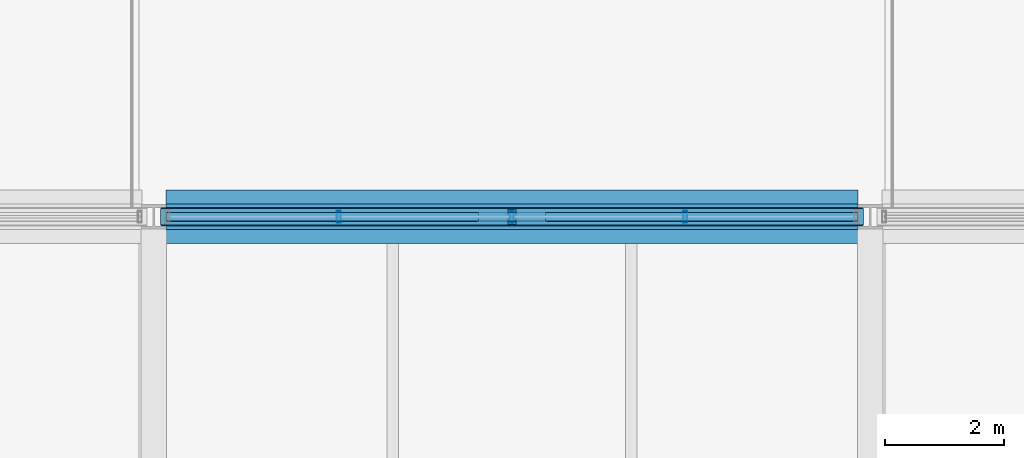
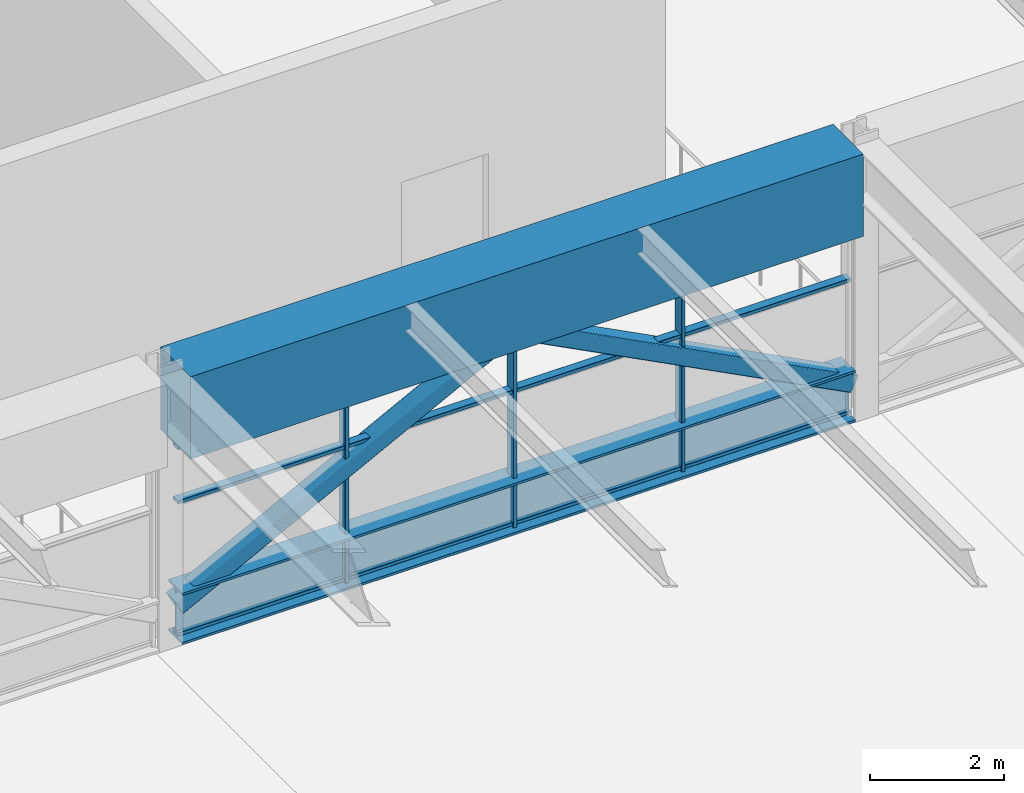
# One storey, part 18 of 42: 9 members, 1 beam, 1 element without a shape of its own.
"""IFC4 building model written with IfcOpenShell, lengths in metres."""

import ifcopenshell
import ifcopenshell.guid

model = None  # the IFC model being written
_history = None  # IfcOwnerHistory: only IFC2X3 demands one
_inside = {}  # id of a spatial element -> (the spatial element, [elements in it])
_under = {}  # id of a project, library or spatial element -> (it, [spatial elements below it])
_declared = {}  # id of a project -> (the project, [libraries it declares])
_typed = {}  # id of a type object -> (the type object, [elements of that type])
_made_of = {}  # id of a material, layer set ... -> (it, [elements and type objects made of it])


def new_model(schema):
    """Start an empty IFC model of exactly this schema.

    Asked for "IFC4X3", IfcOpenShell would pick the latest addendum, in which some entities
    have other attributes; the version numbers below select the first issue.
    IFC2X3 requires an IfcOwnerHistory on every rooted entity: one is made here for all.
    """
    global model, _history
    if schema == "IFC4X3":
        model = ifcopenshell.file(schema_version=(4, 3, 0, 0))
    else:
        model = ifcopenshell.file(schema=schema)
    _inside.clear()
    _under.clear()
    _declared.clear()
    _typed.clear()
    _made_of.clear()
    _history = None
    if model.schema == "IFC2X3":
        org = make("IfcOrganization", Name="unknown")
        user = make(
            "IfcPersonAndOrganization",
            ThePerson=make("IfcPerson", FamilyName="unknown"),
            TheOrganization=org,
        )
        app = make(
            "IfcApplication",
            ApplicationDeveloper=org,
            Version="unknown",
            ApplicationFullName="unknown",
            ApplicationIdentifier="unknown",
        )
        _history = make(
            "IfcOwnerHistory",
            OwningUser=user,
            OwningApplication=app,
            ChangeAction="ADDED",
            CreationDate=0,
        )
    return model


def make(cls, **values):
    """One entity of the class cls with the attributes given. An attribute that is None is left unset."""
    return model.create_entity(
        cls, **{name: value for name, value in values.items() if value is not None}
    )


def rooted(cls, **values):
    """An entity with a GlobalId (a new one), such as an element, a storey or a relation."""
    return make(cls, GlobalId=ifcopenshell.guid.new(), OwnerHistory=_history, **values)


def si_unit(unit_type, name, prefix=None):
    """IfcSIUnit, for example si_unit("LENGTHUNIT", "METRE", prefix="MILLI")."""
    return make("IfcSIUnit", UnitType=unit_type, Prefix=prefix, Name=name)


def assignment(units):
    """IfcUnitAssignment: the units of a project."""
    return None if units is None else make("IfcUnitAssignment", Units=units)


def point(xyz):
    """IfcCartesianPoint."""
    return None if xyz is None else make("IfcCartesianPoint", Coordinates=xyz)


def direction(xyz):
    """IfcDirection."""
    return None if xyz is None else make("IfcDirection", DirectionRatios=xyz)


def frame(location, z_axis=None, x_axis=None):
    """IfcAxis2Placement3D, a coordinate frame: its origin and axes. An axis left out is left unset."""
    return make(
        "IfcAxis2Placement3D",
        Location=point(location),
        Axis=direction(z_axis),
        RefDirection=direction(x_axis),
    )


def frame_2d(location, x_axis=None):
    """IfcAxis2Placement2D, a coordinate frame in the plane: its origin and x axis."""
    return make(
        "IfcAxis2Placement2D", Location=point(location), RefDirection=direction(x_axis)
    )


def origin():
    """The frame at (0, 0, 0) with its axes left unset."""
    return frame((0.0, 0.0, 0.0))


def origin_2d():
    """The frame at (0, 0) in the plane with its x axis left unset."""
    return frame_2d((0.0, 0.0))


def place(relative_to, where):
    """IfcLocalPlacement: puts the frame where relative to a parent placement (None: the world)."""
    return make(
        "IfcLocalPlacement", PlacementRelTo=relative_to, RelativePlacement=where
    )


def context(
    kind, dimensions, precision=None, world=None, true_north=None, identifier=None
):
    """IfcGeometricRepresentationContext, for example the 3D "Model" context."""
    return make(
        "IfcGeometricRepresentationContext",
        ContextIdentifier=identifier,
        ContextType=kind,
        CoordinateSpaceDimension=dimensions,
        Precision=precision,
        WorldCoordinateSystem=world,
        TrueNorth=true_north,
    )


def subcontext(parent, identifier, kind, view, scale=None):
    """IfcGeometricRepresentationSubContext, for example "Body" below "Model"."""
    return make(
        "IfcGeometricRepresentationSubContext",
        ContextIdentifier=identifier,
        ContextType=kind,
        ParentContext=parent,
        TargetScale=scale,
        TargetView=view,
    )


def project(units=None, contexts=None):
    """IfcProject with its units and contexts."""
    return rooted(
        "IfcProject",
        Name="project",
        RepresentationContexts=contexts,
        UnitsInContext=assignment(units),
    )


def spatial(cls, under=None, at=None, **own):
    """A site, building, storey or space (cls), placed at a placement, below another one or the project."""
    s = rooted(cls, ObjectPlacement=at, **own)
    if under is not None:
        _under.setdefault(under.id(), (under, []))[1].append(s)
    return s


def profile(cls, at=None, kind="AREA", **sizes):
    """A parametric profile (cls). Its sizes go by their IFC names, for example OverallWidth=200.0."""
    return make(cls, ProfileType=kind, Position=at, **sizes)


def rectangle(**sizes):
    """IfcRectangleProfileDef."""
    return profile("IfcRectangleProfileDef", **sizes)


def hollow_rectangle(**sizes):
    """IfcRectangleHollowProfileDef."""
    return profile("IfcRectangleHollowProfileDef", **sizes)


def i_section(**sizes):
    """IfcIShapeProfileDef."""
    return profile("IfcIShapeProfileDef", **sizes)


def extrude(swept, where, along, depth):
    """IfcExtrudedAreaSolid: the profile swept, set in the frame where, extruded along a direction by depth."""
    return make(
        "IfcExtrudedAreaSolid",
        SweptArea=swept,
        Position=where,
        ExtrudedDirection=direction(along),
        Depth=depth,
    )


def shape(context_of_items, identifier, shape_type, items):
    """IfcShapeRepresentation: the items that make up one representation, for example the "Body"."""
    return make(
        "IfcShapeRepresentation",
        ContextOfItems=context_of_items,
        RepresentationIdentifier=identifier,
        RepresentationType=shape_type,
        Items=items,
    )


def material(Name=None, Category=None):
    """IfcMaterial."""
    return make("IfcMaterial", Name=Name, Category=Category)


def material_profile(
    of_material, cross_section, Name=None, Category=None, Priority=None
):
    """IfcMaterialProfile: a cross section and its material."""
    return make(
        "IfcMaterialProfile",
        Name=Name,
        Material=of_material,
        Profile=cross_section,
        Priority=Priority,
        Category=Category,
    )


def profile_set(profiles, Name=None, composite=None):
    """IfcMaterialProfileSet."""
    return make(
        "IfcMaterialProfileSet",
        Name=Name,
        MaterialProfiles=profiles,
        CompositeProfile=composite,
    )


def made_of(thing, what):
    """Note that an element or type object is made of a material, layer set ...; save() writes the relation."""
    if what is not None:
        _made_of.setdefault(what.id(), (what, []))[1].append(thing)
    return thing


def type_object(cls, material=None, **own):
    """A type object (cls), such as IfcWallType, which elements share."""
    return made_of(rooted(cls, **own), material)


def element(
    cls,
    number,
    at=None,
    inside=None,
    cuts=None,
    type_object=None,
    material=None,
    context=None,
    identifier="Body",
    shape_type=None,
    held_by="IfcProductDefinitionShape",
    body=None,
    shapes=None,
    **own,
):
    """One element of the class cls, such as IfcWall. Its Tag is "e" and its number.

    at: its placement. inside: the storey or other place that contains it. cuts: it is an
    opening in that element (IfcRelVoidsElement). A single representation is given by context,
    identifier, shape_type and body (its items); several are given by shapes. held_by: the class
    of the entity that holds the representations. save() writes the other relations.
    """
    e = rooted(cls, Tag="e%d" % number, ObjectPlacement=at, **own)
    if body is not None:
        shapes = [shape(context, identifier, shape_type, body)]
    if shapes is not None:
        e.Representation = make(held_by, Representations=shapes)
    if inside is not None:
        _inside.setdefault(inside.id(), (inside, []))[1].append(e)
    if cuts is not None:
        rooted(
            "IfcRelVoidsElement", RelatingBuildingElement=cuts, RelatedOpeningElement=e
        )
    if type_object is not None:
        _typed.setdefault(type_object.id(), (type_object, []))[1].append(e)
    return made_of(e, material)


def aggregate(whole, parts):
    """IfcRelAggregates: a whole, such as a stair, and the parts it consists of."""
    return rooted("IfcRelAggregates", RelatingObject=whole, RelatedObjects=parts)


def save(model, path):
    """Write the relations noted so far, then the file.

    IfcRelAggregates (storeys below a building ...), IfcRelContainedInSpatialStructure (elements
    in a storey), IfcRelDefinesByType, IfcRelAssociatesMaterial and IfcRelDeclares: one each for
    every whole, place, type object, material and project.
    """
    for whole, parts in _under.values():
        aggregate(whole, parts)
    for where, things in _inside.values():
        rooted(
            "IfcRelContainedInSpatialStructure",
            RelatedElements=things,
            RelatingStructure=where,
        )
    for kind, things in _typed.values():
        rooted("IfcRelDefinesByType", RelatedObjects=things, RelatingType=kind)
    for what, things in _made_of.values():
        rooted("IfcRelAssociatesMaterial", RelatedObjects=things, RelatingMaterial=what)
    for by, libraries in _declared.values():
        rooted("IfcRelDeclares", RelatingContext=by, RelatedDefinitions=libraries)
    model.write(path)


model = new_model("IFC4")

# Units and contexts
model_context = context("Model", 3, precision=1e-05, world=origin(), true_north=direction((0.0, 1.0)))
body_context = subcontext(model_context, "Body", "Model", "MODEL_VIEW")
ifc_project = project(units=[si_unit("LENGTHUNIT", "METRE"), si_unit("AREAUNIT", "SQUARE_METRE"), si_unit("VOLUMEUNIT", "CUBIC_METRE"), si_unit("PLANEANGLEUNIT", "RADIAN"), si_unit("MASSUNIT", "GRAM", prefix="KILO")], contexts=[model_context])

# Site, building, storey
site_placement = place(None, origin())
site = spatial("IfcSite", under=ifc_project, at=site_placement, CompositionType="ELEMENT")
building_placement = place(site_placement, origin())
building = spatial("IfcBuilding", under=site, at=building_placement, Name="Girod Span Mobility Hub", CompositionType="ELEMENT")
storey_placement = place(building_placement, frame((0.0, 0.0, 32.39990234375)))
storey = spatial("IfcBuildingStorey", under=building, at=storey_placement, Name="L08", CompositionType="ELEMENT", Elevation=32.39990234375)

# Beam
ifc_material_1 = material(Name="Concrete C50/60", Category="concrete")
ifc_material_profile_1 = material_profile(ifc_material_1, rectangle(XDim=0.89990234375, YDim=1.5, at=origin_2d()), Name="TG-900X1500")
ifc_profile_set_1 = profile_set([ifc_material_profile_1], Name="Concrete C50/60")
beam_type = type_object("IfcBeamType", Name="BM-TG-900X1500", PredefinedType="T_BEAM", material=ifc_profile_set_1)
beam_placement = place(storey_placement, frame((72.199951171875, 69.0, 4.2900390625), z_axis=(1.0, 0.0, 0.0), x_axis=(0.0, 1.0, 0.0)))
element("IfcBeam", 1, at=beam_placement, inside=storey, type_object=beam_type, Name="Girder 7-8/F L08", PredefinedType="T_BEAM", context=body_context, shape_type="SweptSolid", body=[
    extrude(rectangle(XDim=0.89990234375, YDim=1.5, at=origin_2d()), origin(), (0.0, 0.0, 1.0), 11.60009765625),
])

# Curtain wall, members
ifc_material_2 = material(Name="Thermally Broken Anodised Aluminium", Category="aluminium")
curtain_wall_type = type_object("IfcCurtainWallType", Name="CW-1160X354", PredefinedType="USERDEFINED", material=ifc_material_2)
curtain_wall_placement = place(storey_placement, origin())
curtain_wall = element("IfcCurtainWall", 2, at=curtain_wall_placement, inside=storey, type_object=curtain_wall_type, Name="Unitised Curtain Wall CW-L08-N07 L08", ObjectType="UNITISED CURTAIN WALL", PredefinedType="USERDEFINED")
ifc_material_3 = material(Name="Thermally Broken Anodised Aluminium", Category="aluminium")
ifc_material_profile_2 = material_profile(ifc_material_3, hollow_rectangle(XDim=0.199951171875, YDim=0.06494140625, WallThickness=0.00390625, InnerFilletRadius=0.00390625, OuterFilletRadius=0.008056640625, at=origin_2d()), Name="CW-ML-65X200")
ifc_profile_set_2 = profile_set([ifc_material_profile_2], Name="Thermally Broken Anodised Aluminium")
member_type_1 = type_object("IfcMemberType", Name="CWM-ML-1", PredefinedType="MULLION", material=ifc_profile_set_2)
member_1_placement = place(storey_placement, frame((75.1005859375, 69.0, 0.0), z_axis=(0.0, 0.0, 1.0), x_axis=(0.0, 1.0, 0.0)))
member_1 = element("IfcMember", 3, at=member_1_placement, type_object=member_type_1, Name="Curtain Wall Mullion CW-L08-N07-M1", PredefinedType="MULLION", context=body_context, shape_type="SweptSolid", body=[
    extrude(hollow_rectangle(XDim=0.199951171875, YDim=0.06494140625, WallThickness=0.00390625, InnerFilletRadius=0.00390625, OuterFilletRadius=0.008056640625, at=origin_2d()), origin(), (0.0, 0.0, 1.0), 3.5400390625),
])
member_2_placement = place(storey_placement, frame((78.0, 69.0, 0.0), z_axis=(0.0, 0.0, 1.0), x_axis=(0.0, 1.0, 0.0)))
member_2 = element("IfcMember", 4, at=member_2_placement, type_object=member_type_1, Name="Curtain Wall Mullion CW-L08-N07-M2", PredefinedType="MULLION", context=body_context, shape_type="SweptSolid", body=[
    extrude(hollow_rectangle(XDim=0.199951171875, YDim=0.06494140625, WallThickness=0.00390625, InnerFilletRadius=0.00390625, OuterFilletRadius=0.008056640625, at=origin_2d()), origin(), (0.0, 0.0, 1.0), 3.5400390625),
])
member_3_placement = place(storey_placement, frame((80.8994140625, 69.0, 0.0), z_axis=(0.0, 0.0, 1.0), x_axis=(0.0, 1.0, 0.0)))
member_3 = element("IfcMember", 5, at=member_3_placement, type_object=member_type_1, Name="Curtain Wall Mullion CW-L08-N07-M3", PredefinedType="MULLION", context=body_context, shape_type="SweptSolid", body=[
    extrude(hollow_rectangle(XDim=0.199951171875, YDim=0.06494140625, WallThickness=0.00390625, InnerFilletRadius=0.00390625, OuterFilletRadius=0.008056640625, at=origin_2d()), origin(), (0.0, 0.0, 1.0), 3.5400390625),
])
ifc_material_4 = material(Name="Thermally Broken Anodised Aluminium", Category="aluminium")
ifc_material_profile_3 = material_profile(ifc_material_4, hollow_rectangle(XDim=0.14990234375, YDim=0.06494140625, WallThickness=0.00390625, InnerFilletRadius=0.00390625, OuterFilletRadius=0.008056640625, at=origin_2d()), Name="CW-TR-65X150")
ifc_profile_set_3 = profile_set([ifc_material_profile_3], Name="Thermally Broken Anodised Aluminium")
member_type_2 = type_object("IfcMemberType", Name="CWM-TR-1", PredefinedType="USERDEFINED", material=ifc_profile_set_3)
member_4_placement = place(storey_placement, frame((72.200927734375, 69.0, 0.107666015625), z_axis=(1.0, 0.0, 0.0), x_axis=(0.0, 1.0, 0.0)))
member_4 = element("IfcMember", 6, at=member_4_placement, type_object=member_type_2, Name="Curtain Wall Transom CW-L08-N07-T1", ObjectType="TRANSOM", PredefinedType="USERDEFINED", context=body_context, shape_type="SweptSolid", body=[
    extrude(hollow_rectangle(XDim=0.14990234375, YDim=0.06494140625, WallThickness=0.00390625, InnerFilletRadius=0.00390625, OuterFilletRadius=0.008056640625, at=origin_2d()), origin(), (0.0, 0.0, 1.0), 11.59814453125),
])
member_5_placement = place(storey_placement, frame((72.200927734375, 69.0, 2.516357421875), z_axis=(1.0, 0.0, 0.0), x_axis=(0.0, 1.0, 0.0)))
member_5 = element("IfcMember", 7, at=member_5_placement, type_object=member_type_2, Name="Curtain Wall Transom CW-L08-N07-T2", ObjectType="TRANSOM", PredefinedType="USERDEFINED", context=body_context, shape_type="SweptSolid", body=[
    extrude(hollow_rectangle(XDim=0.14990234375, YDim=0.06494140625, WallThickness=0.00390625, InnerFilletRadius=0.00390625, OuterFilletRadius=0.008056640625, at=origin_2d()), origin(), (0.0, 0.0, 1.0), 11.59814453125),
])
member_6_placement = place(storey_placement, frame((72.200927734375, 69.0, 3.507568359375), z_axis=(1.0, 0.0, 0.0), x_axis=(0.0, 1.0, 0.0)))
member_6 = element("IfcMember", 8, at=member_6_placement, type_object=member_type_2, Name="Curtain Wall Transom CW-L08-N07-T3", ObjectType="TRANSOM", PredefinedType="USERDEFINED", context=body_context, shape_type="SweptSolid", body=[
    extrude(hollow_rectangle(XDim=0.14990234375, YDim=0.06494140625, WallThickness=0.00390625, InnerFilletRadius=0.00390625, OuterFilletRadius=0.008056640625, at=origin_2d()), origin(), (0.0, 0.0, 1.0), 11.59814453125),
])
aggregate(curtain_wall, [member_1, member_2, member_3, member_4, member_5, member_6])

# Members
ifc_material_5 = material(Name="Steel HSS A500 Grade C", Category="steel")
ifc_material_profile_4 = material_profile(ifc_material_5, hollow_rectangle(XDim=0.304931640625, YDim=0.304931640625, WallThickness=0.014892578125, InnerFilletRadius=0.014892578125, OuterFilletRadius=0.029541015625, at=origin_2d()), Name="HSS305X305X16")
ifc_profile_set_4 = profile_set([ifc_material_profile_4], Name="Steel HSS A500 Grade C")
member_type_3 = type_object("IfcMemberType", Name="MB-BR-HSS305", PredefinedType="BRACE", material=ifc_profile_set_4)
for number, where, z_axis, x_axis, name in (
    (9, (72.18310546875, 69.0, 0.650146484375), (0.888138427159, 0.0, 0.459576037457), (0.0, 1.0, 0.0), "Warren Transfer Truss Web Diagonal Y=69 7-L"),
    (10, (83.81689453125, 69.0, 0.650146484375), (-0.888138427159, 0.0, 0.459576037457), (0.0, -1.0, 0.0), "Warren Transfer Truss Web Diagonal Y=69 7-R"),
):
    element("IfcMember", number, at=place(storey_placement, frame(where, z_axis=z_axis, x_axis=x_axis)), inside=storey, type_object=member_type_3, Name=name, PredefinedType="BRACE", context=body_context, shape_type="SweptSolid", body=[
        extrude(hollow_rectangle(XDim=0.304931640625, YDim=0.304931640625, WallThickness=0.014892578125, InnerFilletRadius=0.014892578125, OuterFilletRadius=0.029541015625, at=origin_2d()), origin(), (0.0, 0.0, 1.0), 6.549560546875),
    ])
ifc_material_6 = material(Name="Steel A992 Grade 50", Category="steel")
ifc_material_profile_5 = material_profile(ifc_material_6, i_section(OverallWidth=0.423095703125, OverallDepth=0.93994140625, WebThickness=0.02392578125, FlangeThickness=0.042724609375, FilletRadius=0.02392578125, at=origin_2d()), Name="W36X302")
ifc_profile_set_5 = profile_set([ifc_material_profile_5], Name="Steel A992 Grade 50")
member_type_4 = type_object("IfcMemberType", Name="MB-CH-W36X302", PredefinedType="CHORD", material=ifc_profile_set_5)
member_7_placement = place(storey_placement, frame((72.199951171875, 69.0, 0.47998046875), z_axis=(1.0, 0.0, 0.0), x_axis=(0.0, 1.0, 0.0)))
element("IfcMember", 11, at=member_7_placement, inside=storey, type_object=member_type_4, Name="Warren Transfer Truss Bottom Chord Y=69 Bay 7", PredefinedType="CHORD", context=body_context, shape_type="SweptSolid", body=[
    extrude(i_section(OverallWidth=0.423095703125, OverallDepth=0.93994140625, WebThickness=0.02392578125, FlangeThickness=0.042724609375, FilletRadius=0.02392578125, at=origin_2d()), origin(), (0.0, 0.0, 1.0), 11.60009765625),
])

save(model, "model.ifc")
